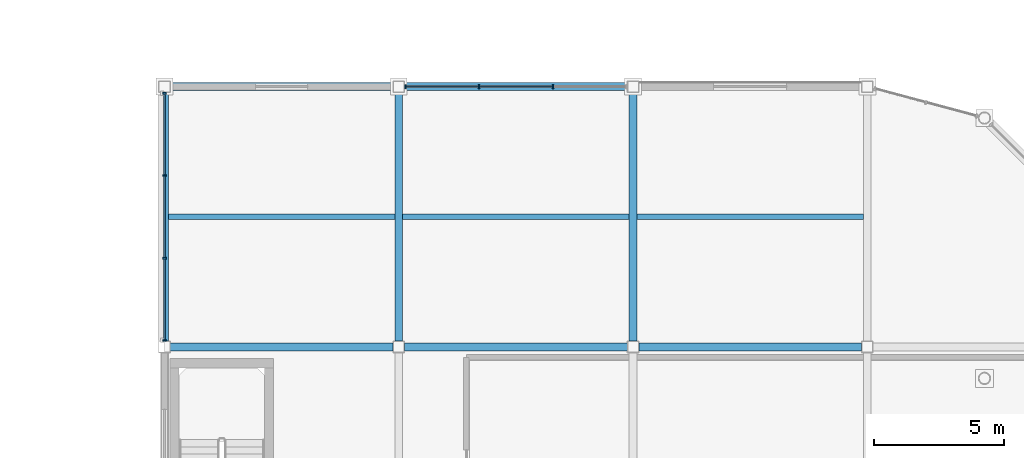
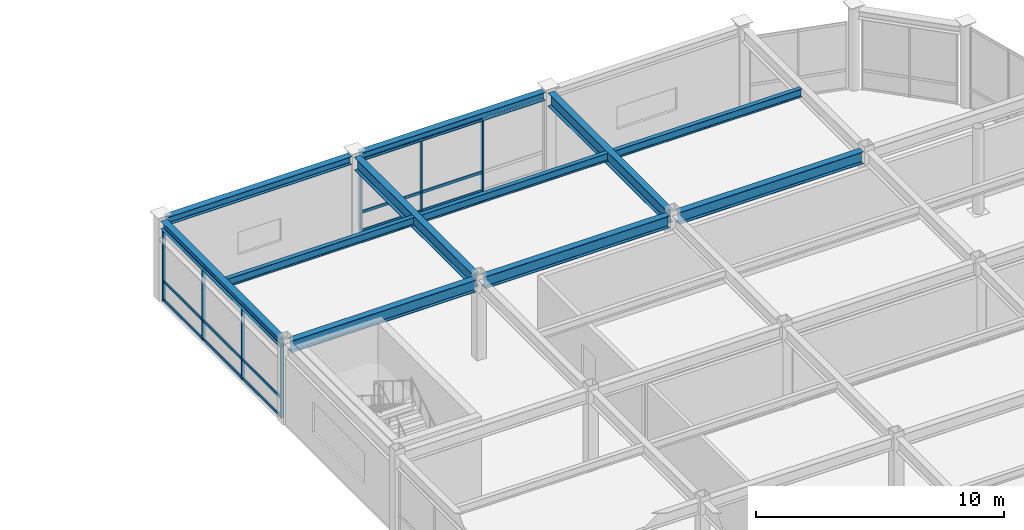
# One storey, part 59 of 105: 22 members, 11 beams, 2 elements without a shape of their own.
"""IFC4 building model written with IfcOpenShell, lengths in metres."""

import ifcopenshell
import ifcopenshell.guid

model = None  # the IFC model being written
_history = None  # IfcOwnerHistory: only IFC2X3 demands one
_inside = {}  # id of a spatial element -> (the spatial element, [elements in it])
_under = {}  # id of a project, library or spatial element -> (it, [spatial elements below it])
_declared = {}  # id of a project -> (the project, [libraries it declares])
_typed = {}  # id of a type object -> (the type object, [elements of that type])
_made_of = {}  # id of a material, layer set ... -> (it, [elements and type objects made of it])


def new_model(schema):
    """Start an empty IFC model of exactly this schema.

    Asked for "IFC4X3", IfcOpenShell would pick the latest addendum, in which some entities
    have other attributes; the version numbers below select the first issue.
    IFC2X3 requires an IfcOwnerHistory on every rooted entity: one is made here for all.
    """
    global model, _history
    if schema == "IFC4X3":
        model = ifcopenshell.file(schema_version=(4, 3, 0, 0))
    else:
        model = ifcopenshell.file(schema=schema)
    _inside.clear()
    _under.clear()
    _declared.clear()
    _typed.clear()
    _made_of.clear()
    _history = None
    if model.schema == "IFC2X3":
        org = make("IfcOrganization", Name="unknown")
        user = make(
            "IfcPersonAndOrganization",
            ThePerson=make("IfcPerson", FamilyName="unknown"),
            TheOrganization=org,
        )
        app = make(
            "IfcApplication",
            ApplicationDeveloper=org,
            Version="unknown",
            ApplicationFullName="unknown",
            ApplicationIdentifier="unknown",
        )
        _history = make(
            "IfcOwnerHistory",
            OwningUser=user,
            OwningApplication=app,
            ChangeAction="ADDED",
            CreationDate=0,
        )
    return model


def make(cls, **values):
    """One entity of the class cls with the attributes given. An attribute that is None is left unset."""
    return model.create_entity(
        cls, **{name: value for name, value in values.items() if value is not None}
    )


def rooted(cls, **values):
    """An entity with a GlobalId (a new one), such as an element, a storey or a relation."""
    return make(cls, GlobalId=ifcopenshell.guid.new(), OwnerHistory=_history, **values)


def si_unit(unit_type, name, prefix=None):
    """IfcSIUnit, for example si_unit("LENGTHUNIT", "METRE", prefix="MILLI")."""
    return make("IfcSIUnit", UnitType=unit_type, Prefix=prefix, Name=name)


def assignment(units):
    """IfcUnitAssignment: the units of a project."""
    return None if units is None else make("IfcUnitAssignment", Units=units)


def point(xyz):
    """IfcCartesianPoint."""
    return None if xyz is None else make("IfcCartesianPoint", Coordinates=xyz)


def direction(xyz):
    """IfcDirection."""
    return None if xyz is None else make("IfcDirection", DirectionRatios=xyz)


def frame(location, z_axis=None, x_axis=None):
    """IfcAxis2Placement3D, a coordinate frame: its origin and axes. An axis left out is left unset."""
    return make(
        "IfcAxis2Placement3D",
        Location=point(location),
        Axis=direction(z_axis),
        RefDirection=direction(x_axis),
    )


def frame_2d(location, x_axis=None):
    """IfcAxis2Placement2D, a coordinate frame in the plane: its origin and x axis."""
    return make(
        "IfcAxis2Placement2D", Location=point(location), RefDirection=direction(x_axis)
    )


def origin():
    """The frame at (0, 0, 0) with its axes left unset."""
    return frame((0.0, 0.0, 0.0))


def origin_2d():
    """The frame at (0, 0) in the plane with its x axis left unset."""
    return frame_2d((0.0, 0.0))


def place(relative_to, where):
    """IfcLocalPlacement: puts the frame where relative to a parent placement (None: the world)."""
    return make(
        "IfcLocalPlacement", PlacementRelTo=relative_to, RelativePlacement=where
    )


def context(
    kind, dimensions, precision=None, world=None, true_north=None, identifier=None
):
    """IfcGeometricRepresentationContext, for example the 3D "Model" context."""
    return make(
        "IfcGeometricRepresentationContext",
        ContextIdentifier=identifier,
        ContextType=kind,
        CoordinateSpaceDimension=dimensions,
        Precision=precision,
        WorldCoordinateSystem=world,
        TrueNorth=true_north,
    )


def subcontext(parent, identifier, kind, view, scale=None):
    """IfcGeometricRepresentationSubContext, for example "Body" below "Model"."""
    return make(
        "IfcGeometricRepresentationSubContext",
        ContextIdentifier=identifier,
        ContextType=kind,
        ParentContext=parent,
        TargetScale=scale,
        TargetView=view,
    )


def project(units=None, contexts=None):
    """IfcProject with its units and contexts."""
    return rooted(
        "IfcProject",
        Name="project",
        RepresentationContexts=contexts,
        UnitsInContext=assignment(units),
    )


def spatial(cls, under=None, at=None, **own):
    """A site, building, storey or space (cls), placed at a placement, below another one or the project."""
    s = rooted(cls, ObjectPlacement=at, **own)
    if under is not None:
        _under.setdefault(under.id(), (under, []))[1].append(s)
    return s


def profile(cls, at=None, kind="AREA", **sizes):
    """A parametric profile (cls). Its sizes go by their IFC names, for example OverallWidth=200.0."""
    return make(cls, ProfileType=kind, Position=at, **sizes)


def rectangle(**sizes):
    """IfcRectangleProfileDef."""
    return profile("IfcRectangleProfileDef", **sizes)


def i_section(**sizes):
    """IfcIShapeProfileDef."""
    return profile("IfcIShapeProfileDef", **sizes)


def extrude(swept, where, along, depth):
    """IfcExtrudedAreaSolid: the profile swept, set in the frame where, extruded along a direction by depth."""
    return make(
        "IfcExtrudedAreaSolid",
        SweptArea=swept,
        Position=where,
        ExtrudedDirection=direction(along),
        Depth=depth,
    )


def shape(context_of_items, identifier, shape_type, items):
    """IfcShapeRepresentation: the items that make up one representation, for example the "Body"."""
    return make(
        "IfcShapeRepresentation",
        ContextOfItems=context_of_items,
        RepresentationIdentifier=identifier,
        RepresentationType=shape_type,
        Items=items,
    )


def material(Name=None, Category=None):
    """IfcMaterial."""
    return make("IfcMaterial", Name=Name, Category=Category)


def material_profile(
    of_material, cross_section, Name=None, Category=None, Priority=None
):
    """IfcMaterialProfile: a cross section and its material."""
    return make(
        "IfcMaterialProfile",
        Name=Name,
        Material=of_material,
        Profile=cross_section,
        Priority=Priority,
        Category=Category,
    )


def profile_set(profiles, Name=None, composite=None):
    """IfcMaterialProfileSet."""
    return make(
        "IfcMaterialProfileSet",
        Name=Name,
        MaterialProfiles=profiles,
        CompositeProfile=composite,
    )


def made_of(thing, what):
    """Note that an element or type object is made of a material, layer set ...; save() writes the relation."""
    if what is not None:
        _made_of.setdefault(what.id(), (what, []))[1].append(thing)
    return thing


def type_object(cls, material=None, **own):
    """A type object (cls), such as IfcWallType, which elements share."""
    return made_of(rooted(cls, **own), material)


def element(
    cls,
    number,
    at=None,
    inside=None,
    cuts=None,
    type_object=None,
    material=None,
    context=None,
    identifier="Body",
    shape_type=None,
    held_by="IfcProductDefinitionShape",
    body=None,
    shapes=None,
    **own,
):
    """One element of the class cls, such as IfcWall. Its Tag is "e" and its number.

    at: its placement. inside: the storey or other place that contains it. cuts: it is an
    opening in that element (IfcRelVoidsElement). A single representation is given by context,
    identifier, shape_type and body (its items); several are given by shapes. held_by: the class
    of the entity that holds the representations. save() writes the other relations.
    """
    e = rooted(cls, Tag="e%d" % number, ObjectPlacement=at, **own)
    if body is not None:
        shapes = [shape(context, identifier, shape_type, body)]
    if shapes is not None:
        e.Representation = make(held_by, Representations=shapes)
    if inside is not None:
        _inside.setdefault(inside.id(), (inside, []))[1].append(e)
    if cuts is not None:
        rooted(
            "IfcRelVoidsElement", RelatingBuildingElement=cuts, RelatedOpeningElement=e
        )
    if type_object is not None:
        _typed.setdefault(type_object.id(), (type_object, []))[1].append(e)
    return made_of(e, material)


def aggregate(whole, parts):
    """IfcRelAggregates: a whole, such as a stair, and the parts it consists of."""
    return rooted("IfcRelAggregates", RelatingObject=whole, RelatedObjects=parts)


def save(model, path):
    """Write the relations noted so far, then the file.

    IfcRelAggregates (storeys below a building ...), IfcRelContainedInSpatialStructure (elements
    in a storey), IfcRelDefinesByType, IfcRelAssociatesMaterial and IfcRelDeclares: one each for
    every whole, place, type object, material and project.
    """
    for whole, parts in _under.values():
        aggregate(whole, parts)
    for where, things in _inside.values():
        rooted(
            "IfcRelContainedInSpatialStructure",
            RelatedElements=things,
            RelatingStructure=where,
        )
    for kind, things in _typed.values():
        rooted("IfcRelDefinesByType", RelatedObjects=things, RelatingType=kind)
    for what, things in _made_of.values():
        rooted("IfcRelAssociatesMaterial", RelatedObjects=things, RelatingMaterial=what)
    for by, libraries in _declared.values():
        rooted("IfcRelDeclares", RelatingContext=by, RelatedDefinitions=libraries)
    model.write(path)


model = new_model("IFC4")

# Units and contexts
model_context = context("Model", 3, precision=1e-05, world=origin(), true_north=direction((0.0, 1.0)))
body_context = subcontext(model_context, "Body", "Model", "MODEL_VIEW")
ifc_project = project(units=[si_unit("LENGTHUNIT", "METRE"), si_unit("AREAUNIT", "SQUARE_METRE"), si_unit("VOLUMEUNIT", "CUBIC_METRE"), si_unit("PLANEANGLEUNIT", "RADIAN"), si_unit("MASSUNIT", "GRAM", prefix="KILO")], contexts=[model_context])

# Site, building, storey
site_placement = place(None, origin())
site = spatial("IfcSite", under=ifc_project, at=site_placement, CompositionType="ELEMENT")
building_placement = place(site_placement, origin())
building = spatial("IfcBuilding", under=site, at=building_placement, Name="Suzunagisa Mobility Hub", CompositionType="ELEMENT")
storey_placement = place(building_placement, frame((0.0, 0.0, 5.10009765625)))
storey = spatial("IfcBuildingStorey", under=building, at=storey_placement, Name="L01", CompositionType="ELEMENT", Elevation=5.10009765625)

# Curtain wall, members
ifc_material_1 = material(Name="Thermally Broken Anodized Aluminum and Low-E Glazing", Category="aluminium")
curtain_wall_type_1 = type_object("IfcCurtainWallType", Name="Unitised Curtain Wall CW-14 8500x3600", PredefinedType="USERDEFINED", material=ifc_material_1)
curtain_wall_1_placement = place(storey_placement, origin())
curtain_wall_1 = element("IfcCurtainWall", 1, at=curtain_wall_1_placement, inside=storey, type_object=curtain_wall_type_1, Name="L01 Unitised Curtain Wall CW-191", ObjectType="UNITISED CURTAIN WALL", PredefinedType="USERDEFINED")
ifc_material_2 = material(Name="Anodized Aluminum 6063-T6", Category="aluminium")
ifc_material_profile_1 = material_profile(ifc_material_2, rectangle(XDim=0.06494140625, YDim=0.139892578125, at=origin_2d()), Name="TRAN-65x140")
ifc_profile_set_1 = profile_set([ifc_material_profile_1], Name="Anodized Aluminum 6063-T6")
member_type_1 = type_object("IfcMemberType", Name="Curtain Wall Framing CM-01 TRAN-65x140", PredefinedType="USERDEFINED", material=ifc_profile_set_1)
member_1_placement = place(storey_placement, frame((158.89697265625, 108.0, 0.032470703125), z_axis=(-1.0, 0.0, 0.0), x_axis=(0.0, -1.0, 0.0)))
member_1 = element("IfcMember", 2, at=member_1_placement, type_object=member_type_1, Name="Curtain Wall Transom 191-T2.1", ObjectType="TRANSOM", PredefinedType="USERDEFINED", context=body_context, shape_type="SweptSolid", body=[
    extrude(rectangle(XDim=0.06494140625, YDim=0.139892578125, at=origin_2d()), origin(), (0.0, 0.0, 1.0), 2.7939453125),
])
member_2_placement = place(storey_placement, frame((158.89697265625, 108.0, 0.949951171875), z_axis=(-1.0, 0.0, 0.0), x_axis=(0.0, -1.0, 0.0)))
member_2 = element("IfcMember", 3, at=member_2_placement, type_object=member_type_1, Name="Curtain Wall Transom 191-T2.2", ObjectType="TRANSOM", PredefinedType="USERDEFINED", context=body_context, shape_type="SweptSolid", body=[
    extrude(rectangle(XDim=0.06494140625, YDim=0.139892578125, at=origin_2d()), origin(), (0.0, 0.0, 1.0), 2.7939453125),
])
member_3_placement = place(storey_placement, frame((158.89697265625, 108.0, 3.517333984375), z_axis=(-1.0, 0.0, 0.0), x_axis=(0.0, -1.0, 0.0)))
member_3 = element("IfcMember", 4, at=member_3_placement, type_object=member_type_1, Name="Curtain Wall Transom 191-T2.3", ObjectType="TRANSOM", PredefinedType="USERDEFINED", context=body_context, shape_type="SweptSolid", body=[
    extrude(rectangle(XDim=0.06494140625, YDim=0.139892578125, at=origin_2d()), origin(), (0.0, 0.0, 1.0), 2.7939453125),
])
member_4_placement = place(storey_placement, frame((156.047119140625, 108.0, 0.032470703125), z_axis=(-1.0, 0.0, 0.0), x_axis=(0.0, -1.0, 0.0)))
member_4 = element("IfcMember", 5, at=member_4_placement, type_object=member_type_1, Name="Curtain Wall Transom 191-T3.1", ObjectType="TRANSOM", PredefinedType="USERDEFINED", context=body_context, shape_type="SweptSolid", body=[
    extrude(rectangle(XDim=0.06494140625, YDim=0.139892578125, at=origin_2d()), origin(), (0.0, 0.0, 1.0), 2.76416015625),
])
member_5_placement = place(storey_placement, frame((156.047119140625, 108.0, 0.949951171875), z_axis=(-1.0, 0.0, 0.0), x_axis=(0.0, -1.0, 0.0)))
member_5 = element("IfcMember", 6, at=member_5_placement, type_object=member_type_1, Name="Curtain Wall Transom 191-T3.2", ObjectType="TRANSOM", PredefinedType="USERDEFINED", context=body_context, shape_type="SweptSolid", body=[
    extrude(rectangle(XDim=0.06494140625, YDim=0.139892578125, at=origin_2d()), origin(), (0.0, 0.0, 1.0), 2.76416015625),
])
member_6_placement = place(storey_placement, frame((156.047119140625, 108.0, 3.517333984375), z_axis=(-1.0, 0.0, 0.0), x_axis=(0.0, -1.0, 0.0)))
member_6 = element("IfcMember", 7, at=member_6_placement, type_object=member_type_1, Name="Curtain Wall Transom 191-T3.3", ObjectType="TRANSOM", PredefinedType="USERDEFINED", context=body_context, shape_type="SweptSolid", body=[
    extrude(rectangle(XDim=0.06494140625, YDim=0.139892578125, at=origin_2d()), origin(), (0.0, 0.0, 1.0), 2.76416015625),
])

curtain_wall_type_2 = type_object("IfcCurtainWallType", Name="Unitised Curtain Wall CW-49 9500x3500", PredefinedType="USERDEFINED", material=ifc_material_1)
curtain_wall_2_placement = place(storey_placement, origin())
curtain_wall_2 = element("IfcCurtainWall", 8, at=curtain_wall_2_placement, inside=storey, type_object=curtain_wall_type_2, Name="L01 Unitised Curtain Wall CW-192", ObjectType="UNITISED CURTAIN WALL", PredefinedType="USERDEFINED")
member_7_placement = place(storey_placement, frame((144.0, 107.717041015625, 0.032470703125), z_axis=(0.0, -1.0, 0.0), x_axis=(1.0, 0.0, 0.0)))
member_7 = element("IfcMember", 9, at=member_7_placement, type_object=member_type_1, Name="Curtain Wall Transom 192-T1.1", ObjectType="TRANSOM", PredefinedType="USERDEFINED", context=body_context, shape_type="SweptSolid", body=[
    extrude(rectangle(XDim=0.06494140625, YDim=0.139892578125, at=origin_2d()), origin(), (0.0, 0.0, 1.0), 3.097412109375),
])
member_8_placement = place(storey_placement, frame((144.0, 107.717041015625, 0.949951171875), z_axis=(0.0, -1.0, 0.0), x_axis=(1.0, 0.0, 0.0)))
member_8 = element("IfcMember", 10, at=member_8_placement, type_object=member_type_1, Name="Curtain Wall Transom 192-T1.2", ObjectType="TRANSOM", PredefinedType="USERDEFINED", context=body_context, shape_type="SweptSolid", body=[
    extrude(rectangle(XDim=0.06494140625, YDim=0.139892578125, at=origin_2d()), origin(), (0.0, 0.0, 1.0), 3.097412109375),
])
member_9_placement = place(storey_placement, frame((144.0, 107.717041015625, 3.50732421875), z_axis=(0.0, -1.0, 0.0), x_axis=(1.0, 0.0, 0.0)))
member_9 = element("IfcMember", 11, at=member_9_placement, type_object=member_type_1, Name="Curtain Wall Transom 192-T1.3", ObjectType="TRANSOM", PredefinedType="USERDEFINED", context=body_context, shape_type="SweptSolid", body=[
    extrude(rectangle(XDim=0.06494140625, YDim=0.139892578125, at=origin_2d()), origin(), (0.0, 0.0, 1.0), 3.097412109375),
])
member_10_placement = place(storey_placement, frame((144.0, 104.563720703125, 0.032470703125), z_axis=(0.0, -1.0, 0.0), x_axis=(1.0, 0.0, 0.0)))
member_10 = element("IfcMember", 12, at=member_10_placement, type_object=member_type_1, Name="Curtain Wall Transom 192-T2.1", ObjectType="TRANSOM", PredefinedType="USERDEFINED", context=body_context, shape_type="SweptSolid", body=[
    extrude(rectangle(XDim=0.06494140625, YDim=0.139892578125, at=origin_2d()), origin(), (0.0, 0.0, 1.0), 3.12744140625),
])
member_11_placement = place(storey_placement, frame((144.0, 104.563720703125, 0.949951171875), z_axis=(0.0, -1.0, 0.0), x_axis=(1.0, 0.0, 0.0)))
member_11 = element("IfcMember", 13, at=member_11_placement, type_object=member_type_1, Name="Curtain Wall Transom 192-T2.2", ObjectType="TRANSOM", PredefinedType="USERDEFINED", context=body_context, shape_type="SweptSolid", body=[
    extrude(rectangle(XDim=0.06494140625, YDim=0.139892578125, at=origin_2d()), origin(), (0.0, 0.0, 1.0), 3.12744140625),
])
member_12_placement = place(storey_placement, frame((144.0, 104.563720703125, 3.50732421875), z_axis=(0.0, -1.0, 0.0), x_axis=(1.0, 0.0, 0.0)))
member_12 = element("IfcMember", 14, at=member_12_placement, type_object=member_type_1, Name="Curtain Wall Transom 192-T2.3", ObjectType="TRANSOM", PredefinedType="USERDEFINED", context=body_context, shape_type="SweptSolid", body=[
    extrude(rectangle(XDim=0.06494140625, YDim=0.139892578125, at=origin_2d()), origin(), (0.0, 0.0, 1.0), 3.12744140625),
])
member_13_placement = place(storey_placement, frame((144.0, 101.38037109375, 0.032470703125), z_axis=(0.0, -1.0, 0.0), x_axis=(1.0, 0.0, 0.0)))
member_13 = element("IfcMember", 15, at=member_13_placement, type_object=member_type_1, Name="Curtain Wall Transom 192-T3.1", ObjectType="TRANSOM", PredefinedType="USERDEFINED", context=body_context, shape_type="SweptSolid", body=[
    extrude(rectangle(XDim=0.06494140625, YDim=0.139892578125, at=origin_2d()), origin(), (0.0, 0.0, 1.0), 3.097412109375),
])
member_14_placement = place(storey_placement, frame((144.0, 101.38037109375, 0.949951171875), z_axis=(0.0, -1.0, 0.0), x_axis=(1.0, 0.0, 0.0)))
member_14 = element("IfcMember", 16, at=member_14_placement, type_object=member_type_1, Name="Curtain Wall Transom 192-T3.2", ObjectType="TRANSOM", PredefinedType="USERDEFINED", context=body_context, shape_type="SweptSolid", body=[
    extrude(rectangle(XDim=0.06494140625, YDim=0.139892578125, at=origin_2d()), origin(), (0.0, 0.0, 1.0), 3.097412109375),
])
member_15_placement = place(storey_placement, frame((144.0, 101.38037109375, 3.50732421875), z_axis=(0.0, -1.0, 0.0), x_axis=(1.0, 0.0, 0.0)))
member_15 = element("IfcMember", 17, at=member_15_placement, type_object=member_type_1, Name="Curtain Wall Transom 192-T3.3", ObjectType="TRANSOM", PredefinedType="USERDEFINED", context=body_context, shape_type="SweptSolid", body=[
    extrude(rectangle(XDim=0.06494140625, YDim=0.139892578125, at=origin_2d()), origin(), (0.0, 0.0, 1.0), 3.097412109375),
])

# Member
ifc_material_profile_2 = material_profile(ifc_material_2, rectangle(XDim=0.06005859375, YDim=0.14990234375, at=origin_2d()), Name="MULL-60x150")
ifc_profile_set_2 = profile_set([ifc_material_profile_2], Name="Anodized Aluminum 6063-T6")
member_type_2 = type_object("IfcMemberType", Name="Curtain Wall Framing CM-03 MULL-60x150", PredefinedType="MULLION", material=ifc_profile_set_2)
member_16_placement = place(storey_placement, frame((158.925048828125, 108.0, 0.0), z_axis=(0.0, 0.0, 1.0), x_axis=(-1.0, 0.0, 0.0)))
member_16 = element("IfcMember", 18, at=member_16_placement, type_object=member_type_2, Name="Curtain Wall Mullion 191-M2", PredefinedType="MULLION", context=body_context, shape_type="SweptSolid", body=[
    extrude(rectangle(XDim=0.06005859375, YDim=0.14990234375, at=origin_2d()), origin(), (0.0, 0.0, 1.0), 3.5498046875),
])

member_17_placement = place(storey_placement, frame((156.074951171875, 108.0, 0.0), z_axis=(0.0, 0.0, 1.0), x_axis=(-1.0, 0.0, 0.0)))
member_17 = element("IfcMember", 19, at=member_17_placement, type_object=member_type_2, Name="Curtain Wall Mullion 191-M3", PredefinedType="MULLION", context=body_context, shape_type="SweptSolid", body=[
    extrude(rectangle(XDim=0.06005859375, YDim=0.14990234375, at=origin_2d()), origin(), (0.0, 0.0, 1.0), 3.5498046875),
])

member_18_placement = place(storey_placement, frame((153.2548828125, 108.0, 0.0), z_axis=(0.0, 0.0, 1.0), x_axis=(-1.0, 0.0, 0.0)))
member_18 = element("IfcMember", 20, at=member_18_placement, type_object=member_type_2, Name="Curtain Wall Mullion 191-M4", PredefinedType="MULLION", context=body_context, shape_type="SweptSolid", body=[
    extrude(rectangle(XDim=0.06005859375, YDim=0.14990234375, at=origin_2d()), origin(), (0.0, 0.0, 1.0), 3.5498046875),
])

aggregate(curtain_wall_1, [member_16, member_17, member_18, member_1, member_2, member_3, member_4, member_5, member_6])

member_19_placement = place(storey_placement, frame((144.0, 107.7451171875, 0.0), z_axis=(0.0, 0.0, 1.0), x_axis=(0.0, -1.0, 0.0)))
member_19 = element("IfcMember", 21, at=member_19_placement, type_object=member_type_2, Name="Curtain Wall Mullion 192-M1", PredefinedType="MULLION", context=body_context, shape_type="SweptSolid", body=[
    extrude(rectangle(XDim=0.06005859375, YDim=0.14990234375, at=origin_2d()), origin(), (0.0, 0.0, 1.0), 3.539794921875),
])

member_20_placement = place(storey_placement, frame((144.0, 104.591796875, 0.0), z_axis=(0.0, 0.0, 1.0), x_axis=(0.0, -1.0, 0.0)))
member_20 = element("IfcMember", 22, at=member_20_placement, type_object=member_type_2, Name="Curtain Wall Mullion 192-M2", PredefinedType="MULLION", context=body_context, shape_type="SweptSolid", body=[
    extrude(rectangle(XDim=0.06005859375, YDim=0.14990234375, at=origin_2d()), origin(), (0.0, 0.0, 1.0), 3.539794921875),
])

member_21_placement = place(storey_placement, frame((144.0, 101.408203125, 0.0), z_axis=(0.0, 0.0, 1.0), x_axis=(0.0, -1.0, 0.0)))
member_21 = element("IfcMember", 23, at=member_21_placement, type_object=member_type_2, Name="Curtain Wall Mullion 192-M3", PredefinedType="MULLION", context=body_context, shape_type="SweptSolid", body=[
    extrude(rectangle(XDim=0.06005859375, YDim=0.14990234375, at=origin_2d()), origin(), (0.0, 0.0, 1.0), 3.539794921875),
])

member_22_placement = place(storey_placement, frame((144.0, 98.2548828125, 0.0), z_axis=(0.0, 0.0, 1.0), x_axis=(0.0, -1.0, 0.0)))
member_22 = element("IfcMember", 24, at=member_22_placement, type_object=member_type_2, Name="Curtain Wall Mullion 192-M4", PredefinedType="MULLION", context=body_context, shape_type="SweptSolid", body=[
    extrude(rectangle(XDim=0.06005859375, YDim=0.14990234375, at=origin_2d()), origin(), (0.0, 0.0, 1.0), 3.539794921875),
])

aggregate(curtain_wall_2, [member_19, member_20, member_21, member_22, member_7, member_8, member_9, member_10, member_11, member_12, member_13, member_14, member_15])

# Beams
ifc_material_3 = material(Name="Steel SN490B", Category="steel")
ifc_material_profile_3 = material_profile(ifc_material_3, i_section(OverallWidth=0.300048828125, OverallDepth=0.64990234375, WebThickness=0.012939453125, FlangeThickness=0.02197265625, FilletRadius=0.01611328125, at=origin_2d()), Name="H-650x300x13x22")
ifc_profile_set_3 = profile_set([ifc_material_profile_3], Name="Steel SN490B")
beam_type_1 = type_object("IfcBeamType", Name="Steel Beam BM-10 H-650x300x13x22", PredefinedType="BEAM", material=ifc_profile_set_3)
for number, where, z_axis, x_axis, name in (
    (25, (153.0, 98.220947265625, 3.614990234375), (0.0, 1.0, 0.0), (-1.0, 0.0, 0.0), "L01 Primary Girder GY-1877"),
    (26, (162.0, 98.220947265625, 3.614990234375), (0.0, 1.0, 0.0), (-1.0, 0.0, 0.0), "L01 Primary Girder GY-1878"),
):
    element("IfcBeam", number, at=place(storey_placement, frame(where, z_axis=z_axis, x_axis=x_axis)), inside=storey, type_object=beam_type_1, Name=name, PredefinedType="BEAM", context=body_context, shape_type="SweptSolid", body=[
        extrude(i_section(OverallWidth=0.300048828125, OverallDepth=0.64990234375, WebThickness=0.012939453125, FlangeThickness=0.02197265625, FilletRadius=0.01611328125, at=origin_2d()), origin(), (0.0, 0.0, 1.0), 9.55810546875),
    ])
ifc_material_profile_4 = material_profile(ifc_material_3, i_section(OverallWidth=0.300048828125, OverallDepth=0.389892578125, WebThickness=0.010009765625, FlangeThickness=0.01611328125, FilletRadius=0.012939453125, at=origin_2d()), Name="H-390x300x10x16")
ifc_profile_set_4 = profile_set([ifc_material_profile_4], Name="Steel SN490B")
beam_type_2 = type_object("IfcBeamType", Name="Steel Beam BM-13 H-390x300x10x16", PredefinedType="SPANDREL", material=ifc_profile_set_4)
for number, where, z_axis, x_axis, name in (
    (27, (144.220947265625, 108.0, 3.744873046875), (1.0, 0.0, 0.0), (0.0, 1.0, 0.0), "L01 Primary Girder GX-1873"),
    (28, (153.220947265625, 108.0, 3.744873046875), (1.0, 0.0, 0.0), (0.0, 1.0, 0.0), "L01 Primary Girder GX-1874"),
):
    element("IfcBeam", number, at=place(storey_placement, frame(where, z_axis=z_axis, x_axis=x_axis)), inside=storey, type_object=beam_type_2, Name=name, PredefinedType="SPANDREL", context=body_context, shape_type="SweptSolid", body=[
        extrude(i_section(OverallWidth=0.300048828125, OverallDepth=0.389892578125, WebThickness=0.010009765625, FlangeThickness=0.01611328125, FilletRadius=0.012939453125, at=origin_2d()), origin(), (0.0, 0.0, 1.0), 8.55810546875),
    ])
beam_placement = place(storey_placement, frame((144.0, 98.220947265625, 3.744873046875), z_axis=(0.0, 1.0, 0.0), x_axis=(-1.0, 0.0, 0.0)))
element("IfcBeam", 29, at=beam_placement, inside=storey, type_object=beam_type_2, Name="L01 Primary Girder GY-1876", PredefinedType="SPANDREL", context=body_context, shape_type="SweptSolid", body=[
    extrude(i_section(OverallWidth=0.300048828125, OverallDepth=0.389892578125, WebThickness=0.010009765625, FlangeThickness=0.01611328125, FilletRadius=0.012939453125, at=origin_2d()), origin(), (0.0, 0.0, 1.0), 9.55810546875),
])
ifc_material_4 = material(Name="Steel SN400B", Category="steel")
ifc_material_profile_5 = material_profile(ifc_material_4, i_section(OverallWidth=0.199951171875, OverallDepth=0.39990234375, WebThickness=0.008056640625, FlangeThickness=0.012939453125, FilletRadius=0.012939453125, at=origin_2d()), Name="H-400x200x8x13")
ifc_profile_set_5 = profile_set([ifc_material_profile_5], Name="Steel SN400B")
beam_type_3 = type_object("IfcBeamType", Name="Steel Beam BM-14 H-400x200x8x13", PredefinedType="JOIST", material=ifc_profile_set_5)
for number, where, z_axis, x_axis, name in (
    (30, (144.14990234375, 103.0, 3.739990234375), (1.0, 0.0, 0.0), (0.0, 1.0, 0.0), "L01 Composite Floor Joist J-1881"),
    (31, (153.14990234375, 103.0, 3.739990234375), (1.0, 0.0, 0.0), (0.0, 1.0, 0.0), "L01 Composite Floor Joist J-1882"),
    (32, (162.14990234375, 103.0, 3.739990234375), (1.0, 0.0, 0.0), (0.0, 1.0, 0.0), "L01 Composite Floor Joist J-1883"),
):
    element("IfcBeam", number, at=place(storey_placement, frame(where, z_axis=z_axis, x_axis=x_axis)), inside=storey, type_object=beam_type_3, Name=name, PredefinedType="JOIST", context=body_context, shape_type="SweptSolid", body=[
        extrude(i_section(OverallWidth=0.199951171875, OverallDepth=0.39990234375, WebThickness=0.008056640625, FlangeThickness=0.012939453125, FilletRadius=0.012939453125, at=origin_2d()), origin(), (0.0, 0.0, 1.0), 8.7001953125),
    ])
ifc_material_profile_6 = material_profile(ifc_material_3, i_section(OverallWidth=0.300048828125, OverallDepth=0.587890625, WebThickness=0.011962890625, FlangeThickness=0.02001953125, FilletRadius=0.012939453125, at=origin_2d()), Name="H-588x300x12x20")
ifc_profile_set_6 = profile_set([ifc_material_profile_6], Name="Steel SN490B")
beam_type_4 = type_object("IfcBeamType", Name="Steel Beam BM-16 H-588x300x12x20", PredefinedType="BEAM", material=ifc_profile_set_6)
for number, where, z_axis, x_axis, name in (
    (33, (144.220947265625, 98.0, 3.64599609375), (1.0, 0.0, 0.0), (0.0, 1.0, 0.0), "L01 Primary Girder GX-1819"),
    (34, (153.220947265625, 98.0, 3.64599609375), (1.0, 0.0, 0.0), (0.0, 1.0, 0.0), "L01 Primary Girder GX-1820"),
    (35, (162.220947265625, 98.0, 3.64599609375), (1.0, 0.0, 0.0), (0.0, 1.0, 0.0), "L01 Primary Girder GX-1821"),
):
    element("IfcBeam", number, at=place(storey_placement, frame(where, z_axis=z_axis, x_axis=x_axis)), inside=storey, type_object=beam_type_4, Name=name, PredefinedType="BEAM", context=body_context, shape_type="SweptSolid", body=[
        extrude(i_section(OverallWidth=0.300048828125, OverallDepth=0.587890625, WebThickness=0.011962890625, FlangeThickness=0.02001953125, FilletRadius=0.012939453125, at=origin_2d()), origin(), (0.0, 0.0, 1.0), 8.55810546875),
    ])

save(model, "model.ifc")
